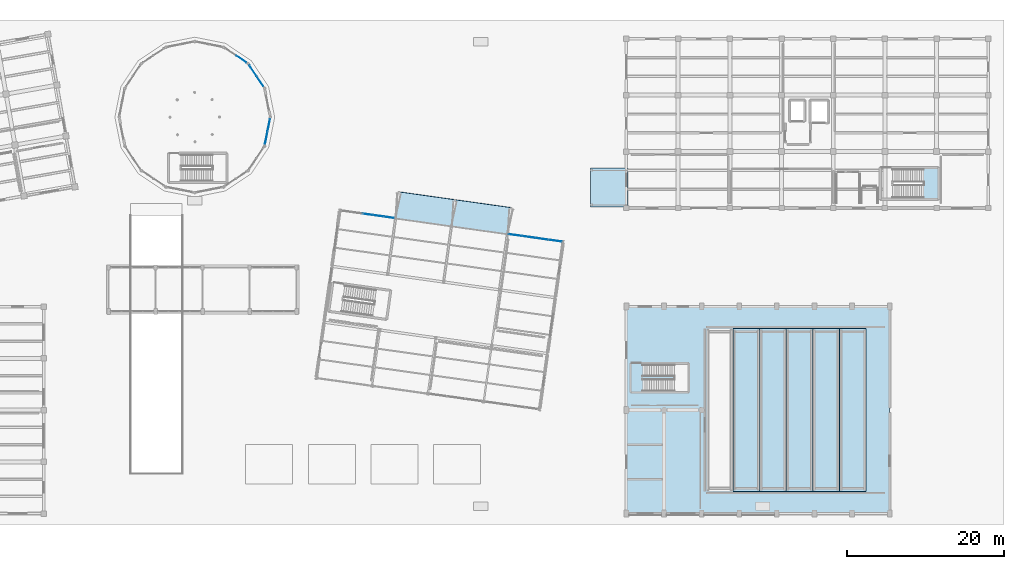
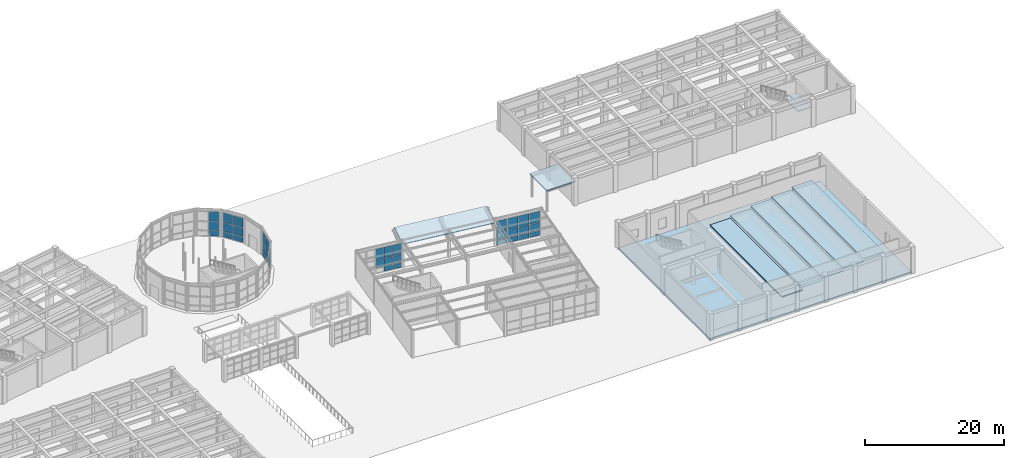
# One storey, part 35 of 57: 35 plates, 9 slabs, 6 elements without a shape of their own.
"""IFC4 building model written with IfcOpenShell, lengths in metres."""

import ifcopenshell
import ifcopenshell.guid

model = None  # the IFC model being written
_history = None  # IfcOwnerHistory: only IFC2X3 demands one
_inside = {}  # id of a spatial element -> (the spatial element, [elements in it])
_under = {}  # id of a project, library or spatial element -> (it, [spatial elements below it])
_declared = {}  # id of a project -> (the project, [libraries it declares])
_typed = {}  # id of a type object -> (the type object, [elements of that type])
_made_of = {}  # id of a material, layer set ... -> (it, [elements and type objects made of it])


def new_model(schema):
    """Start an empty IFC model of exactly this schema.

    Asked for "IFC4X3", IfcOpenShell would pick the latest addendum, in which some entities
    have other attributes; the version numbers below select the first issue.
    IFC2X3 requires an IfcOwnerHistory on every rooted entity: one is made here for all.
    """
    global model, _history
    if schema == "IFC4X3":
        model = ifcopenshell.file(schema_version=(4, 3, 0, 0))
    else:
        model = ifcopenshell.file(schema=schema)
    _inside.clear()
    _under.clear()
    _declared.clear()
    _typed.clear()
    _made_of.clear()
    _history = None
    if model.schema == "IFC2X3":
        org = make("IfcOrganization", Name="unknown")
        user = make(
            "IfcPersonAndOrganization",
            ThePerson=make("IfcPerson", FamilyName="unknown"),
            TheOrganization=org,
        )
        app = make(
            "IfcApplication",
            ApplicationDeveloper=org,
            Version="unknown",
            ApplicationFullName="unknown",
            ApplicationIdentifier="unknown",
        )
        _history = make(
            "IfcOwnerHistory",
            OwningUser=user,
            OwningApplication=app,
            ChangeAction="ADDED",
            CreationDate=0,
        )
    return model


def make(cls, **values):
    """One entity of the class cls with the attributes given. An attribute that is None is left unset."""
    return model.create_entity(
        cls, **{name: value for name, value in values.items() if value is not None}
    )


def rooted(cls, **values):
    """An entity with a GlobalId (a new one), such as an element, a storey or a relation."""
    return make(cls, GlobalId=ifcopenshell.guid.new(), OwnerHistory=_history, **values)


def si_unit(unit_type, name, prefix=None):
    """IfcSIUnit, for example si_unit("LENGTHUNIT", "METRE", prefix="MILLI")."""
    return make("IfcSIUnit", UnitType=unit_type, Prefix=prefix, Name=name)


def assignment(units):
    """IfcUnitAssignment: the units of a project."""
    return None if units is None else make("IfcUnitAssignment", Units=units)


def point(xyz):
    """IfcCartesianPoint."""
    return None if xyz is None else make("IfcCartesianPoint", Coordinates=xyz)


def direction(xyz):
    """IfcDirection."""
    return None if xyz is None else make("IfcDirection", DirectionRatios=xyz)


def frame(location, z_axis=None, x_axis=None):
    """IfcAxis2Placement3D, a coordinate frame: its origin and axes. An axis left out is left unset."""
    return make(
        "IfcAxis2Placement3D",
        Location=point(location),
        Axis=direction(z_axis),
        RefDirection=direction(x_axis),
    )


def frame_2d(location, x_axis=None):
    """IfcAxis2Placement2D, a coordinate frame in the plane: its origin and x axis."""
    return make(
        "IfcAxis2Placement2D", Location=point(location), RefDirection=direction(x_axis)
    )


def origin():
    """The frame at (0, 0, 0) with its axes left unset."""
    return frame((0.0, 0.0, 0.0))


def origin_2d():
    """The frame at (0, 0) in the plane with its x axis left unset."""
    return frame_2d((0.0, 0.0))


def place(relative_to, where):
    """IfcLocalPlacement: puts the frame where relative to a parent placement (None: the world)."""
    return make(
        "IfcLocalPlacement", PlacementRelTo=relative_to, RelativePlacement=where
    )


def context(
    kind, dimensions, precision=None, world=None, true_north=None, identifier=None
):
    """IfcGeometricRepresentationContext, for example the 3D "Model" context."""
    return make(
        "IfcGeometricRepresentationContext",
        ContextIdentifier=identifier,
        ContextType=kind,
        CoordinateSpaceDimension=dimensions,
        Precision=precision,
        WorldCoordinateSystem=world,
        TrueNorth=true_north,
    )


def subcontext(parent, identifier, kind, view, scale=None):
    """IfcGeometricRepresentationSubContext, for example "Body" below "Model"."""
    return make(
        "IfcGeometricRepresentationSubContext",
        ContextIdentifier=identifier,
        ContextType=kind,
        ParentContext=parent,
        TargetScale=scale,
        TargetView=view,
    )


def project(units=None, contexts=None):
    """IfcProject with its units and contexts."""
    return rooted(
        "IfcProject",
        Name="project",
        RepresentationContexts=contexts,
        UnitsInContext=assignment(units),
    )


def spatial(cls, under=None, at=None, **own):
    """A site, building, storey or space (cls), placed at a placement, below another one or the project."""
    s = rooted(cls, ObjectPlacement=at, **own)
    if under is not None:
        _under.setdefault(under.id(), (under, []))[1].append(s)
    return s


def polyline(points):
    """IfcPolyline through the points."""
    return make("IfcPolyline", Points=[point(p) for p in points])


def profile(cls, at=None, kind="AREA", **sizes):
    """A parametric profile (cls). Its sizes go by their IFC names, for example OverallWidth=200.0."""
    return make(cls, ProfileType=kind, Position=at, **sizes)


def rectangle(**sizes):
    """IfcRectangleProfileDef."""
    return profile("IfcRectangleProfileDef", **sizes)


def outline(outer, holes=None, kind="AREA"):
    """IfcArbitraryClosedProfileDef: a profile drawn as a closed curve; with holes, ...WithVoids."""
    if holes is None:
        return make("IfcArbitraryClosedProfileDef", ProfileType=kind, OuterCurve=outer)
    return make(
        "IfcArbitraryProfileDefWithVoids",
        ProfileType=kind,
        OuterCurve=outer,
        InnerCurves=holes,
    )


def extrude(swept, where, along, depth):
    """IfcExtrudedAreaSolid: the profile swept, set in the frame where, extruded along a direction by depth."""
    return make(
        "IfcExtrudedAreaSolid",
        SweptArea=swept,
        Position=where,
        ExtrudedDirection=direction(along),
        Depth=depth,
    )


def shape(context_of_items, identifier, shape_type, items):
    """IfcShapeRepresentation: the items that make up one representation, for example the "Body"."""
    return make(
        "IfcShapeRepresentation",
        ContextOfItems=context_of_items,
        RepresentationIdentifier=identifier,
        RepresentationType=shape_type,
        Items=items,
    )


def material(Name=None, Category=None):
    """IfcMaterial."""
    return make("IfcMaterial", Name=Name, Category=Category)


def layer(
    of_material, thickness, ventilated=None, Name=None, Category=None, Priority=None
):
    """IfcMaterialLayer: one layer of a wall or slab, of a material (None: an air gap)."""
    return make(
        "IfcMaterialLayer",
        Material=of_material,
        LayerThickness=thickness,
        IsVentilated=ventilated,
        Name=Name,
        Category=Category,
        Priority=Priority,
    )


def layer_set(layers, Name=None):
    """IfcMaterialLayerSet."""
    return make("IfcMaterialLayerSet", MaterialLayers=layers, LayerSetName=Name)


def made_of(thing, what):
    """Note that an element or type object is made of a material, layer set ...; save() writes the relation."""
    if what is not None:
        _made_of.setdefault(what.id(), (what, []))[1].append(thing)
    return thing


def type_object(cls, material=None, **own):
    """A type object (cls), such as IfcWallType, which elements share."""
    return made_of(rooted(cls, **own), material)


def element(
    cls,
    number,
    at=None,
    inside=None,
    cuts=None,
    type_object=None,
    material=None,
    context=None,
    identifier="Body",
    shape_type=None,
    held_by="IfcProductDefinitionShape",
    body=None,
    shapes=None,
    **own,
):
    """One element of the class cls, such as IfcWall. Its Tag is "e" and its number.

    at: its placement. inside: the storey or other place that contains it. cuts: it is an
    opening in that element (IfcRelVoidsElement). A single representation is given by context,
    identifier, shape_type and body (its items); several are given by shapes. held_by: the class
    of the entity that holds the representations. save() writes the other relations.
    """
    e = rooted(cls, Tag="e%d" % number, ObjectPlacement=at, **own)
    if body is not None:
        shapes = [shape(context, identifier, shape_type, body)]
    if shapes is not None:
        e.Representation = make(held_by, Representations=shapes)
    if inside is not None:
        _inside.setdefault(inside.id(), (inside, []))[1].append(e)
    if cuts is not None:
        rooted(
            "IfcRelVoidsElement", RelatingBuildingElement=cuts, RelatedOpeningElement=e
        )
    if type_object is not None:
        _typed.setdefault(type_object.id(), (type_object, []))[1].append(e)
    return made_of(e, material)


def aggregate(whole, parts):
    """IfcRelAggregates: a whole, such as a stair, and the parts it consists of."""
    return rooted("IfcRelAggregates", RelatingObject=whole, RelatedObjects=parts)


def save(model, path):
    """Write the relations noted so far, then the file.

    IfcRelAggregates (storeys below a building ...), IfcRelContainedInSpatialStructure (elements
    in a storey), IfcRelDefinesByType, IfcRelAssociatesMaterial and IfcRelDeclares: one each for
    every whole, place, type object, material and project.
    """
    for whole, parts in _under.values():
        aggregate(whole, parts)
    for where, things in _inside.values():
        rooted(
            "IfcRelContainedInSpatialStructure",
            RelatedElements=things,
            RelatingStructure=where,
        )
    for kind, things in _typed.values():
        rooted("IfcRelDefinesByType", RelatedObjects=things, RelatingType=kind)
    for what, things in _made_of.values():
        rooted("IfcRelAssociatesMaterial", RelatedObjects=things, RelatingMaterial=what)
    for by, libraries in _declared.values():
        rooted("IfcRelDeclares", RelatingContext=by, RelatedDefinitions=libraries)
    model.write(path)


model = new_model("IFC4")

# Units and contexts
model_context = context("Model", 3, precision=1e-05, world=origin(), true_north=direction((0.0, 1.0)))
body_context = subcontext(model_context, "Body", "Model", "MODEL_VIEW")
ifc_project = project(units=[si_unit("LENGTHUNIT", "METRE"), si_unit("AREAUNIT", "SQUARE_METRE"), si_unit("VOLUMEUNIT", "CUBIC_METRE"), si_unit("PLANEANGLEUNIT", "RADIAN"), si_unit("MASSUNIT", "GRAM", prefix="KILO")], contexts=[model_context])

# Site, building, storey
site_placement = place(None, origin())
site = spatial("IfcSite", under=ifc_project, at=site_placement, CompositionType="ELEMENT")
building_placement = place(site_placement, origin())
building = spatial("IfcBuilding", under=site, at=building_placement, Name="Kharisveld Research Institute", CompositionType="ELEMENT")
storey_placement = place(building_placement, origin())
storey = spatial("IfcBuildingStorey", under=building, at=storey_placement, Name="L00", CompositionType="ELEMENT", Elevation=0.0)

# Curtain wall, plates
ifc_material_1 = material(Name="Thermally Broken Aluminium Curtain Wall", Category="aluminium")
ifc_layer_1 = layer(ifc_material_1, 0.159912109375)
ifc_layer_set_1 = layer_set([ifc_layer_1], Name="CW_SYS_03")
curtain_wall_type_1 = type_object("IfcCurtainWallType", Name="CW_SYS_03", PredefinedType="NOTDEFINED", material=ifc_layer_set_1)
curtain_wall_1_placement = place(storey_placement, origin())
curtain_wall_1 = element("IfcCurtainWall", 1, at=curtain_wall_1_placement, inside=storey, type_object=curtain_wall_type_1, Name="CW:V4:L00:N0", PredefinedType="NOTDEFINED")
ifc_material_2 = material(Name="Low-E Double Glazing", Category="glass")
ifc_layer_2 = layer(ifc_material_2, 0.028076171875)
ifc_layer_set_2 = layer_set([ifc_layer_2], Name="CW_PNL_GLZ")
plate_type = type_object("IfcPlateType", Name="CW_PNL_GLZ", PredefinedType="CURTAIN_PANEL", material=ifc_layer_set_2)
plate_1_placement = place(storey_placement, frame((81.571044921875, 38.388671875, 0.9326171875), z_axis=(0.0, 0.0, 1.0), x_axis=(0.990268070291, -0.139173089933, 0.0)))
plate_1 = element("IfcPlate", 2, at=plate_1_placement, type_object=plate_type, Name="CW-03 panel 3.2", PredefinedType="CURTAIN_PANEL", context=body_context, shape_type="SweptSolid", body=[
    extrude(rectangle(XDim=1.31201171875, YDim=0.028076171875, at=origin_2d()), origin(), (0.0, 0.0, 1.0), 1.385009765625),
])
plate_2_placement = place(storey_placement, frame((81.571044921875, 38.388671875, 2.38232421875), z_axis=(0.0, 0.0, 1.0), x_axis=(0.990268070291, -0.139173089933, 0.0)))
plate_2 = element("IfcPlate", 3, at=plate_2_placement, type_object=plate_type, Name="CW-03 panel 3.3", PredefinedType="CURTAIN_PANEL", context=body_context, shape_type="SweptSolid", body=[
    extrude(rectangle(XDim=1.31201171875, YDim=0.028076171875, at=origin_2d()), origin(), (0.0, 0.0, 1.0), 1.9326171875),
])
plate_3_placement = place(storey_placement, frame((82.939697265625, 38.196533203125, 0.06494140625), z_axis=(0.0, 0.0, 1.0), x_axis=(0.990268070291, -0.139173089933, 0.0)))
plate_3 = element("IfcPlate", 4, at=plate_3_placement, type_object=plate_type, Name="CW-03 panel 4.1", PredefinedType="CURTAIN_PANEL", context=body_context, shape_type="SweptSolid", body=[
    extrude(rectangle(XDim=1.31201171875, YDim=0.028076171875, at=origin_2d()), origin(), (0.0, 0.0, 1.0), 0.802490234375),
])
plate_4_placement = place(storey_placement, frame((82.939697265625, 38.196533203125, 0.9326171875), z_axis=(0.0, 0.0, 1.0), x_axis=(0.990268070291, -0.139173089933, 0.0)))
plate_4 = element("IfcPlate", 5, at=plate_4_placement, type_object=plate_type, Name="CW-03 panel 4.2", PredefinedType="CURTAIN_PANEL", context=body_context, shape_type="SweptSolid", body=[
    extrude(rectangle(XDim=1.31201171875, YDim=0.028076171875, at=origin_2d()), origin(), (0.0, 0.0, 1.0), 1.385009765625),
])
plate_5_placement = place(storey_placement, frame((82.939697265625, 38.196533203125, 2.38232421875), z_axis=(0.0, 0.0, 1.0), x_axis=(0.990268070291, -0.139173089933, 0.0)))
plate_5 = element("IfcPlate", 6, at=plate_5_placement, type_object=plate_type, Name="CW-03 panel 4.3", PredefinedType="CURTAIN_PANEL", context=body_context, shape_type="SweptSolid", body=[
    extrude(rectangle(XDim=1.31201171875, YDim=0.028076171875, at=origin_2d()), origin(), (0.0, 0.0, 1.0), 1.9326171875),
])
plate_6_placement = place(storey_placement, frame((84.290771484375, 38.006591796875, 0.06494140625), z_axis=(0.0, 0.0, 1.0), x_axis=(0.990268070291, -0.139173089933, 0.0)))
plate_6 = element("IfcPlate", 7, at=plate_6_placement, type_object=plate_type, Name="CW-03 panel 5.1", PredefinedType="CURTAIN_PANEL", context=body_context, shape_type="SweptSolid", body=[
    extrude(rectangle(XDim=1.277099609375, YDim=0.028076171875, at=origin_2d()), origin(), (0.0, 0.0, 1.0), 0.802490234375),
])
plate_7_placement = place(storey_placement, frame((84.290771484375, 38.006591796875, 0.9326171875), z_axis=(0.0, 0.0, 1.0), x_axis=(0.990268070291, -0.139173089933, 0.0)))
plate_7 = element("IfcPlate", 8, at=plate_7_placement, type_object=plate_type, Name="CW-03 panel 5.2", PredefinedType="CURTAIN_PANEL", context=body_context, shape_type="SweptSolid", body=[
    extrude(rectangle(XDim=1.277099609375, YDim=0.028076171875, at=origin_2d()), origin(), (0.0, 0.0, 1.0), 1.385009765625),
])
plate_8_placement = place(storey_placement, frame((84.290771484375, 38.006591796875, 2.38232421875), z_axis=(0.0, 0.0, 1.0), x_axis=(0.990268070291, -0.139173089933, 0.0)))
plate_8 = element("IfcPlate", 9, at=plate_8_placement, type_object=plate_type, Name="CW-03 panel 5.3", PredefinedType="CURTAIN_PANEL", context=body_context, shape_type="SweptSolid", body=[
    extrude(rectangle(XDim=1.277099609375, YDim=0.028076171875, at=origin_2d()), origin(), (0.0, 0.0, 1.0), 1.9326171875),
])
aggregate(curtain_wall_1, [plate_1, plate_2, plate_3, plate_4, plate_5, plate_6, plate_7, plate_8])

ifc_material_3 = material(Name="Thermally Broken Aluminium Curtain Wall", Category="aluminium")
ifc_layer_3 = layer(ifc_material_3, 0.159912109375)
ifc_layer_set_3 = layer_set([ifc_layer_3], Name="CW_SYS_04")
curtain_wall_type_2 = type_object("IfcCurtainWallType", Name="CW_SYS_04", PredefinedType="NOTDEFINED", material=ifc_layer_set_3)
curtain_wall_2_placement = place(storey_placement, origin())
curtain_wall_2 = element("IfcCurtainWall", 10, at=curtain_wall_2_placement, inside=storey, type_object=curtain_wall_type_2, Name="CW:V4:L00:N3", PredefinedType="NOTDEFINED")
plate_9_placement = place(storey_placement, frame((100.412109375, 35.74072265625, 0.06494140625), z_axis=(0.0, 0.0, 1.0), x_axis=(0.990268070291, -0.139173089933, 0.0)))
plate_9 = element("IfcPlate", 11, at=plate_9_placement, type_object=plate_type, Name="CW-04 panel 1.1", PredefinedType="CURTAIN_PANEL", context=body_context, shape_type="SweptSolid", body=[
    extrude(rectangle(XDim=1.62255859375, YDim=0.028076171875, at=origin_2d()), origin(), (0.0, 0.0, 1.0), 0.802490234375),
])
plate_10_placement = place(storey_placement, frame((100.412109375, 35.74072265625, 0.9326171875), z_axis=(0.0, 0.0, 1.0), x_axis=(0.990268070291, -0.139173089933, 0.0)))
plate_10 = element("IfcPlate", 12, at=plate_10_placement, type_object=plate_type, Name="CW-04 panel 1.2", PredefinedType="CURTAIN_PANEL", context=body_context, shape_type="SweptSolid", body=[
    extrude(rectangle(XDim=1.62255859375, YDim=0.028076171875, at=origin_2d()), origin(), (0.0, 0.0, 1.0), 1.385009765625),
])
plate_11_placement = place(storey_placement, frame((100.412109375, 35.74072265625, 2.38232421875), z_axis=(0.0, 0.0, 1.0), x_axis=(0.990268070291, -0.139173089933, 0.0)))
plate_11 = element("IfcPlate", 13, at=plate_11_placement, type_object=plate_type, Name="CW-04 panel 1.3", PredefinedType="CURTAIN_PANEL", context=body_context, shape_type="SweptSolid", body=[
    extrude(rectangle(XDim=1.62255859375, YDim=0.028076171875, at=origin_2d()), origin(), (0.0, 0.0, 1.0), 1.9326171875),
])
plate_12_placement = place(storey_placement, frame((102.10546875, 35.5029296875, 0.06494140625), z_axis=(0.0, 0.0, 1.0), x_axis=(0.990268070291, -0.139173089933, 0.0)))
plate_12 = element("IfcPlate", 14, at=plate_12_placement, type_object=plate_type, Name="CW-04 panel 2.1", PredefinedType="CURTAIN_PANEL", context=body_context, shape_type="SweptSolid", body=[
    extrude(rectangle(XDim=1.657470703125, YDim=0.028076171875, at=origin_2d()), origin(), (0.0, 0.0, 1.0), 0.802490234375),
])
plate_13_placement = place(storey_placement, frame((102.10546875, 35.5029296875, 0.9326171875), z_axis=(0.0, 0.0, 1.0), x_axis=(0.990268070291, -0.139173089933, 0.0)))
plate_13 = element("IfcPlate", 15, at=plate_13_placement, type_object=plate_type, Name="CW-04 panel 2.2", PredefinedType="CURTAIN_PANEL", context=body_context, shape_type="SweptSolid", body=[
    extrude(rectangle(XDim=1.657470703125, YDim=0.028076171875, at=origin_2d()), origin(), (0.0, 0.0, 1.0), 1.385009765625),
])
plate_14_placement = place(storey_placement, frame((102.10546875, 35.5029296875, 2.38232421875), z_axis=(0.0, 0.0, 1.0), x_axis=(0.990268070291, -0.139173089933, 0.0)))
plate_14 = element("IfcPlate", 16, at=plate_14_placement, type_object=plate_type, Name="CW-04 panel 2.3", PredefinedType="CURTAIN_PANEL", context=body_context, shape_type="SweptSolid", body=[
    extrude(rectangle(XDim=1.657470703125, YDim=0.028076171875, at=origin_2d()), origin(), (0.0, 0.0, 1.0), 1.9326171875),
])
plate_15_placement = place(storey_placement, frame((103.816162109375, 35.262451171875, 0.06494140625), z_axis=(0.0, 0.0, 1.0), x_axis=(0.990268070291, -0.139173089933, 0.0)))
plate_15 = element("IfcPlate", 17, at=plate_15_placement, type_object=plate_type, Name="CW-04 panel 3.1", PredefinedType="CURTAIN_PANEL", context=body_context, shape_type="SweptSolid", body=[
    extrude(rectangle(XDim=1.657470703125, YDim=0.028076171875, at=origin_2d()), origin(), (0.0, 0.0, 1.0), 0.802490234375),
])
plate_16_placement = place(storey_placement, frame((103.816162109375, 35.262451171875, 0.9326171875), z_axis=(0.0, 0.0, 1.0), x_axis=(0.990268070291, -0.139173089933, 0.0)))
plate_16 = element("IfcPlate", 18, at=plate_16_placement, type_object=plate_type, Name="CW-04 panel 3.2", PredefinedType="CURTAIN_PANEL", context=body_context, shape_type="SweptSolid", body=[
    extrude(rectangle(XDim=1.657470703125, YDim=0.028076171875, at=origin_2d()), origin(), (0.0, 0.0, 1.0), 1.385009765625),
])
plate_17_placement = place(storey_placement, frame((103.816162109375, 35.262451171875, 2.38232421875), z_axis=(0.0, 0.0, 1.0), x_axis=(0.990268070291, -0.139173089933, 0.0)))
plate_17 = element("IfcPlate", 19, at=plate_17_placement, type_object=plate_type, Name="CW-04 panel 3.3", PredefinedType="CURTAIN_PANEL", context=body_context, shape_type="SweptSolid", body=[
    extrude(rectangle(XDim=1.657470703125, YDim=0.028076171875, at=origin_2d()), origin(), (0.0, 0.0, 1.0), 1.9326171875),
])
plate_18_placement = place(storey_placement, frame((105.509521484375, 35.0244140625, 0.06494140625), z_axis=(0.0, 0.0, 1.0), x_axis=(0.990268070291, -0.139173089933, 0.0)))
plate_18 = element("IfcPlate", 20, at=plate_18_placement, type_object=plate_type, Name="CW-04 panel 4.1", PredefinedType="CURTAIN_PANEL", context=body_context, shape_type="SweptSolid", body=[
    extrude(rectangle(XDim=1.62255859375, YDim=0.028076171875, at=origin_2d()), origin(), (0.0, 0.0, 1.0), 0.802490234375),
])
plate_19_placement = place(storey_placement, frame((105.509521484375, 35.0244140625, 0.9326171875), z_axis=(0.0, 0.0, 1.0), x_axis=(0.990268070291, -0.139173089933, 0.0)))
plate_19 = element("IfcPlate", 21, at=plate_19_placement, type_object=plate_type, Name="CW-04 panel 4.2", PredefinedType="CURTAIN_PANEL", context=body_context, shape_type="SweptSolid", body=[
    extrude(rectangle(XDim=1.62255859375, YDim=0.028076171875, at=origin_2d()), origin(), (0.0, 0.0, 1.0), 1.385009765625),
])
plate_20_placement = place(storey_placement, frame((105.509521484375, 35.0244140625, 2.38232421875), z_axis=(0.0, 0.0, 1.0), x_axis=(0.990268070291, -0.139173089933, 0.0)))
plate_20 = element("IfcPlate", 22, at=plate_20_placement, type_object=plate_type, Name="CW-04 panel 4.3", PredefinedType="CURTAIN_PANEL", context=body_context, shape_type="SweptSolid", body=[
    extrude(rectangle(XDim=1.62255859375, YDim=0.028076171875, at=origin_2d()), origin(), (0.0, 0.0, 1.0), 1.9326171875),
])
aggregate(curtain_wall_2, [plate_9, plate_10, plate_11, plate_12, plate_13, plate_14, plate_15, plate_16, plate_17, plate_18, plate_19, plate_20])

ifc_material_4 = material(Name="Thermally Broken Aluminium Curtain Wall", Category="aluminium")
ifc_layer_4 = layer(ifc_material_4, 0.159912109375)
ifc_layer_set_4 = layer_set([ifc_layer_4], Name="CW_SYS_05")
curtain_wall_type_3 = type_object("IfcCurtainWallType", Name="CW_SYS_05", PredefinedType="NOTDEFINED", material=ifc_layer_set_4)
curtain_wall_3_placement = place(storey_placement, origin())
curtain_wall_3 = element("IfcCurtainWall", 23, at=curtain_wall_3_placement, inside=storey, type_object=curtain_wall_type_3, Name="CW:V6:L00:CHORD01", PredefinedType="NOTDEFINED")
plate_21_placement = place(storey_placement, frame((66.915283203125, 56.738037109375, 0.06005859375), z_axis=(0.0, 0.0, 1.0), x_axis=(0.555570109828, -0.831469694616, 0.0)))
plate_21 = element("IfcPlate", 24, at=plate_21_placement, type_object=plate_type, Name="CW-05 panel 1.1", PredefinedType="CURTAIN_PANEL", context=body_context, shape_type="SweptSolid", body=[
    extrude(rectangle(XDim=1.570068359375, YDim=0.028076171875, at=origin_2d()), origin(), (0.0, 0.0, 1.0), 0.9599609375),
])
plate_22_placement = place(storey_placement, frame((66.915283203125, 56.738037109375, 1.080078125), z_axis=(0.0, 0.0, 1.0), x_axis=(0.555570109828, -0.831469694616, 0.0)))
plate_22 = element("IfcPlate", 25, at=plate_22_placement, type_object=plate_type, Name="CW-05 panel 1.2", PredefinedType="CURTAIN_PANEL", context=body_context, shape_type="SweptSolid", body=[
    extrude(rectangle(XDim=1.570068359375, YDim=0.028076171875, at=origin_2d()), origin(), (0.0, 0.0, 1.0), 1.5400390625),
])
plate_23_placement = place(storey_placement, frame((66.915283203125, 56.738037109375, 2.679931640625), z_axis=(0.0, 0.0, 1.0), x_axis=(0.555570109828, -0.831469694616, 0.0)))
plate_23 = element("IfcPlate", 26, at=plate_23_placement, type_object=plate_type, Name="CW-05 panel 1.3", PredefinedType="CURTAIN_PANEL", context=body_context, shape_type="SweptSolid", body=[
    extrude(rectangle(XDim=1.570068359375, YDim=0.028076171875, at=origin_2d()), origin(), (0.0, 0.0, 1.0), 1.7099609375),
])
plate_24_placement = place(storey_placement, frame((67.82373046875, 55.37841796875, 0.06005859375), z_axis=(0.0, 0.0, 1.0), x_axis=(0.555570109828, -0.831469694616, 0.0)))
plate_24 = element("IfcPlate", 27, at=plate_24_placement, type_object=plate_type, Name="CW-05 panel 2.1", PredefinedType="CURTAIN_PANEL", context=body_context, shape_type="SweptSolid", body=[
    extrude(rectangle(XDim=1.570068359375, YDim=0.028076171875, at=origin_2d()), origin(), (0.0, 0.0, 1.0), 0.9599609375),
])
plate_25_placement = place(storey_placement, frame((67.82373046875, 55.37841796875, 1.080078125), z_axis=(0.0, 0.0, 1.0), x_axis=(0.555570109828, -0.831469694616, 0.0)))
plate_25 = element("IfcPlate", 28, at=plate_25_placement, type_object=plate_type, Name="CW-05 panel 2.2", PredefinedType="CURTAIN_PANEL", context=body_context, shape_type="SweptSolid", body=[
    extrude(rectangle(XDim=1.570068359375, YDim=0.028076171875, at=origin_2d()), origin(), (0.0, 0.0, 1.0), 1.5400390625),
])
plate_26_placement = place(storey_placement, frame((67.82373046875, 55.37841796875, 2.679931640625), z_axis=(0.0, 0.0, 1.0), x_axis=(0.555570109828, -0.831469694616, 0.0)))
plate_26 = element("IfcPlate", 29, at=plate_26_placement, type_object=plate_type, Name="CW-05 panel 2.3", PredefinedType="CURTAIN_PANEL", context=body_context, shape_type="SweptSolid", body=[
    extrude(rectangle(XDim=1.570068359375, YDim=0.028076171875, at=origin_2d()), origin(), (0.0, 0.0, 1.0), 1.7099609375),
])
aggregate(curtain_wall_3, [plate_21, plate_22, plate_23, plate_24, plate_25, plate_26])

ifc_material_5 = material(Name="Thermally Broken Aluminium Curtain Wall", Category="aluminium")
ifc_layer_5 = layer(ifc_material_5, 0.159912109375)
ifc_layer_set_5 = layer_set([ifc_layer_5], Name="CW_SYS_06")
curtain_wall_type_4 = type_object("IfcCurtainWallType", Name="CW_SYS_06", PredefinedType="NOTDEFINED", material=ifc_layer_set_5)
curtain_wall_4_placement = place(storey_placement, origin())
curtain_wall_4 = element("IfcCurtainWall", 30, at=curtain_wall_4_placement, inside=storey, type_object=curtain_wall_type_4, Name="CW:V6:L00:CHORD02", PredefinedType="NOTDEFINED")
plate_27_placement = place(storey_placement, frame((65.43798828125, 58.21533203125, 0.06005859375), z_axis=(0.0, 0.0, 1.0), x_axis=(0.831469694616, -0.555570109828, 0.0)))
plate_27 = element("IfcPlate", 31, at=plate_27_placement, type_object=plate_type, Name="CW-06 panel 2.1", PredefinedType="CURTAIN_PANEL", context=body_context, shape_type="SweptSolid", body=[
    extrude(rectangle(XDim=1.570068359375, YDim=0.028076171875, at=origin_2d()), origin(), (0.0, 0.0, 1.0), 0.9599609375),
])
plate_28_placement = place(storey_placement, frame((65.43798828125, 58.21533203125, 1.080078125), z_axis=(0.0, 0.0, 1.0), x_axis=(0.831469694616, -0.555570109828, 0.0)))
plate_28 = element("IfcPlate", 32, at=plate_28_placement, type_object=plate_type, Name="CW-06 panel 2.2", PredefinedType="CURTAIN_PANEL", context=body_context, shape_type="SweptSolid", body=[
    extrude(rectangle(XDim=1.570068359375, YDim=0.028076171875, at=origin_2d()), origin(), (0.0, 0.0, 1.0), 1.5400390625),
])
plate_29_placement = place(storey_placement, frame((65.43798828125, 58.21533203125, 2.679931640625), z_axis=(0.0, 0.0, 1.0), x_axis=(0.831469694616, -0.555570109828, 0.0)))
plate_29 = element("IfcPlate", 33, at=plate_29_placement, type_object=plate_type, Name="CW-06 panel 2.3", PredefinedType="CURTAIN_PANEL", context=body_context, shape_type="SweptSolid", body=[
    extrude(rectangle(XDim=1.570068359375, YDim=0.028076171875, at=origin_2d()), origin(), (0.0, 0.0, 1.0), 1.7099609375),
])
aggregate(curtain_wall_4, [plate_27, plate_28, plate_29])

curtain_wall_5_placement = place(storey_placement, origin())
curtain_wall_5 = element("IfcCurtainWall", 34, at=curtain_wall_5_placement, inside=storey, type_object=curtain_wall_type_4, Name="CW:V6:L00:CHORD15", PredefinedType="NOTDEFINED")
plate_30_placement = place(storey_placement, frame((68.942138671875, 49.75537109375, 0.06005859375), z_axis=(0.0, 0.0, 1.0), x_axis=(-0.195090730724, -0.980785199106, 0.0)))
plate_30 = element("IfcPlate", 35, at=plate_30_placement, type_object=plate_type, Name="CW-06 panel 1.1", PredefinedType="CURTAIN_PANEL", context=body_context, shape_type="SweptSolid", body=[
    extrude(rectangle(XDim=1.570068359375, YDim=0.028076171875, at=origin_2d()), origin(), (0.0, 0.0, 1.0), 0.9599609375),
])
plate_31_placement = place(storey_placement, frame((68.942138671875, 49.75537109375, 1.080078125), z_axis=(0.0, 0.0, 1.0), x_axis=(-0.195090730724, -0.980785199106, 0.0)))
plate_31 = element("IfcPlate", 36, at=plate_31_placement, type_object=plate_type, Name="CW-06 panel 1.2", PredefinedType="CURTAIN_PANEL", context=body_context, shape_type="SweptSolid", body=[
    extrude(rectangle(XDim=1.570068359375, YDim=0.028076171875, at=origin_2d()), origin(), (0.0, 0.0, 1.0), 1.5400390625),
])
plate_32_placement = place(storey_placement, frame((68.942138671875, 49.75537109375, 2.679931640625), z_axis=(0.0, 0.0, 1.0), x_axis=(-0.195090730724, -0.980785199106, 0.0)))
plate_32 = element("IfcPlate", 37, at=plate_32_placement, type_object=plate_type, Name="CW-06 panel 1.3", PredefinedType="CURTAIN_PANEL", context=body_context, shape_type="SweptSolid", body=[
    extrude(rectangle(XDim=1.570068359375, YDim=0.028076171875, at=origin_2d()), origin(), (0.0, 0.0, 1.0), 1.7099609375),
])
plate_33_placement = place(storey_placement, frame((68.623291015625, 48.151611328125, 0.06005859375), z_axis=(0.0, 0.0, 1.0), x_axis=(-0.195090730724, -0.980785199106, 0.0)))
plate_33 = element("IfcPlate", 38, at=plate_33_placement, type_object=plate_type, Name="CW-06 panel 2.1", PredefinedType="CURTAIN_PANEL", context=body_context, shape_type="SweptSolid", body=[
    extrude(rectangle(XDim=1.570068359375, YDim=0.028076171875, at=origin_2d()), origin(), (0.0, 0.0, 1.0), 0.9599609375),
])
plate_34_placement = place(storey_placement, frame((68.623291015625, 48.151611328125, 1.080078125), z_axis=(0.0, 0.0, 1.0), x_axis=(-0.195090730724, -0.980785199106, 0.0)))
plate_34 = element("IfcPlate", 39, at=plate_34_placement, type_object=plate_type, Name="CW-06 panel 2.2", PredefinedType="CURTAIN_PANEL", context=body_context, shape_type="SweptSolid", body=[
    extrude(rectangle(XDim=1.570068359375, YDim=0.028076171875, at=origin_2d()), origin(), (0.0, 0.0, 1.0), 1.5400390625),
])
plate_35_placement = place(storey_placement, frame((68.623291015625, 48.151611328125, 2.679931640625), z_axis=(0.0, 0.0, 1.0), x_axis=(-0.195090730724, -0.980785199106, 0.0)))
plate_35 = element("IfcPlate", 40, at=plate_35_placement, type_object=plate_type, Name="CW-06 panel 2.3", PredefinedType="CURTAIN_PANEL", context=body_context, shape_type="SweptSolid", body=[
    extrude(rectangle(XDim=1.570068359375, YDim=0.028076171875, at=origin_2d()), origin(), (0.0, 0.0, 1.0), 1.7099609375),
])
aggregate(curtain_wall_5, [plate_30, plate_31, plate_32, plate_33, plate_34, plate_35])

# Slabs
ifc_material_6 = material(Name="Concrete C40/50", Category="concrete")
ifc_layer_6 = layer(ifc_material_6, 0.14990234375)
ifc_layer_set_6 = layer_set([ifc_layer_6], Name="SL_CAN_150")
slab_type_1 = type_object("IfcSlabType", Name="SL_CAN_150", PredefinedType="ROOF", material=ifc_layer_set_6)
slab_1_placement = place(storey_placement, frame((85.135986328125, 37.8876953125, 4.10009765625), z_axis=(-0.029979662859, -0.213310651491, 0.976524339571), x_axis=(0.990267709731, -0.139175655431, 2.48172e-07)))
element("IfcSlab", 41, at=slab_1_placement, inside=storey, type_object=slab_type_1, Name="SLAB:V4:L00:CANOPY", PredefinedType="ROOF", context=body_context, shape_type="SweptSolid", body=[
    extrude(outline(polyline([(0.0, 0.0), (14.400156155540444, 2.220446049250313e-16), (14.400099544160373, 3.481762962849848), (0.00018515319750015067, 3.4817961436023057), (0.0, 0.0)])), origin(), (0.0, 0.0, -1.0), 0.14990234375),
])
ifc_material_7 = material(Name="Concrete C40/50", Category="concrete")
ifc_layer_7 = layer(ifc_material_7, 0.419921875)
ifc_layer_set_7 = layer_set([ifc_layer_7], Name="SL_FLR_420")
slab_type_2 = type_object("IfcSlabType", Name="SL_FLR_420", PredefinedType="FLOOR", material=ifc_layer_set_7)
slab_2_placement = place(storey_placement, frame((0.0, 0.0, -0.419921875)))
element("IfcSlab", 42, at=slab_2_placement, inside=storey, type_object=slab_type_2, Name="SLAB:V5:L00:MAIN", PredefinedType="FLOOR", context=body_context, shape_type="SweptSolid", body=[
    extrude(outline(polyline([(114.60009765625, 0.199951171875), (148.199951171875, 0.199951171875), (148.199951171875, 26.60009765625), (114.60009765625, 26.60009765625), (114.60009765625, 0.199951171875)])), origin(), (0.0, 0.0, 1.0), 0.419921875),
])

# Stair, slab
ifc_material_8 = material(Name="Concrete C40/50", Category="concrete")
stair_type = type_object("IfcStairType", Name="ST_EXIT_170", PredefinedType="TWO_STRAIGHT_RUN_STAIR", material=ifc_material_8)
stair_placement = place(storey_placement, origin())
stair = element("IfcStair", 43, at=stair_placement, inside=storey, type_object=stair_type, Name="STR:ST3:L00", PredefinedType="TWO_STRAIGHT_RUN_STAIR")
ifc_material_9 = material(Name="Concrete C40/50", Category="concrete")
ifc_layer_8 = layer(ifc_material_9, 0.179931640625)
ifc_layer_set_8 = layer_set([ifc_layer_8], Name="SL_LND_180")
slab_type_3 = type_object("IfcSlabType", Name="SL_LND_180", PredefinedType="LANDING", material=ifc_layer_set_8)
slab_3_placement = place(storey_placement, frame((0.0, 0.0, 2.3701171875)))
slab_3 = element("IfcSlab", 44, at=slab_3_placement, type_object=slab_type_3, Name="ST-03 landing 1", PredefinedType="LANDING", context=body_context, shape_type="SweptSolid", body=[
    extrude(outline(polyline([(152.3798828125, 40.27001953125), (154.5, 40.27001953125), (154.5, 44.389892578125), (152.3798828125, 44.389892578125), (152.3798828125, 40.27001953125)])), origin(), (0.0, 0.0, 1.0), 0.179931640625),
])
aggregate(stair, [slab_3])

# Slabs
ifc_material_10 = material(Name="Concrete C40/50", Category="concrete")
ifc_layer_9 = layer(ifc_material_10, 0.175048828125)
ifc_layer_set_9 = layer_set([ifc_layer_9], Name="SL_ROOF_175")
slab_type_4 = type_object("IfcSlabType", Name="SL_ROOF_175", PredefinedType="ROOF", material=ifc_layer_set_9)
slab_4_placement = place(storey_placement, frame((0.0, 0.0, 3.800048828125)))
element("IfcSlab", 45, at=slab_4_placement, inside=storey, type_object=slab_type_4, Name="SLAB:ARC_E:L00:LINKROOF", PredefinedType="ROOF", context=body_context, shape_type="SweptSolid", body=[
    extrude(outline(polyline([(110.0, 39.300048828125), (114.800048828125, 39.300048828125), (114.800048828125, 44.300048828125), (110.0, 44.300048828125), (110.0, 39.300048828125)])), origin(), (0.0, 0.0, 1.0), 0.175048828125),
])
ifc_material_11 = material(Name="Concrete C35/45", Category="concrete")
ifc_layer_10 = layer(ifc_material_11, 0.1650390625)
ifc_layer_set_10 = layer_set([ifc_layer_10], Name="SL_TIER_165")
slab_type_5 = type_object("IfcSlabType", Name="SL_TIER_165", PredefinedType="FLOOR", material=ifc_layer_set_10)
slab_5_placement = place(storey_placement, frame((0.0, 0.0, 0.794921875)))
element("IfcSlab", 46, at=slab_5_placement, inside=storey, type_object=slab_type_5, Name="SLAB:V5:L00:TIER2", PredefinedType="FLOOR", context=body_context, shape_type="SweptSolid", body=[
    extrude(outline(polyline([(128.199951171875, 3.0), (131.60009765625, 3.0), (131.60009765625, 23.800048828125), (128.199951171875, 23.800048828125), (128.199951171875, 3.0)])), origin(), (0.0, 0.0, 1.0), 0.1650390625),
])
slab_6_placement = place(storey_placement, frame((0.0, 0.0, 1.27490234375)))
element("IfcSlab", 47, at=slab_6_placement, inside=storey, type_object=slab_type_5, Name="SLAB:V5:L00:TIER3", PredefinedType="FLOOR", context=body_context, shape_type="SweptSolid", body=[
    extrude(outline(polyline([(131.60009765625, 3.0), (135.0, 3.0), (135.0, 23.800048828125), (131.60009765625, 23.800048828125), (131.60009765625, 3.0)])), origin(), (0.0, 0.0, 1.0), 0.1650390625),
])
slab_7_placement = place(storey_placement, frame((0.0, 0.0, 1.7548828125)))
element("IfcSlab", 48, at=slab_7_placement, inside=storey, type_object=slab_type_5, Name="SLAB:V5:L00:TIER4", PredefinedType="FLOOR", context=body_context, shape_type="SweptSolid", body=[
    extrude(outline(polyline([(135.0, 3.0), (138.39990234375, 3.0), (138.39990234375, 23.800048828125), (135.0, 23.800048828125), (135.0, 3.0)])), origin(), (0.0, 0.0, 1.0), 0.1650390625),
])
slab_8_placement = place(storey_placement, frame((0.0, 0.0, 2.235107421875)))
element("IfcSlab", 49, at=slab_8_placement, inside=storey, type_object=slab_type_5, Name="SLAB:V5:L00:TIER5", PredefinedType="FLOOR", context=body_context, shape_type="SweptSolid", body=[
    extrude(outline(polyline([(138.39990234375, 3.0), (141.800048828125, 3.0), (141.800048828125, 23.800048828125), (138.39990234375, 23.800048828125), (138.39990234375, 3.0)])), origin(), (0.0, 0.0, 1.0), 0.164794921875),
])
slab_9_placement = place(storey_placement, frame((0.0, 0.0, 2.715087890625)))
element("IfcSlab", 50, at=slab_9_placement, inside=storey, type_object=slab_type_5, Name="SLAB:V5:L00:TIER6", PredefinedType="FLOOR", context=body_context, shape_type="SweptSolid", body=[
    extrude(outline(polyline([(141.800048828125, 3.0), (145.199951171875, 3.0), (145.199951171875, 23.800048828125), (141.800048828125, 23.800048828125), (141.800048828125, 3.0)])), origin(), (0.0, 0.0, 1.0), 0.164794921875),
])

save(model, "model.ifc")
